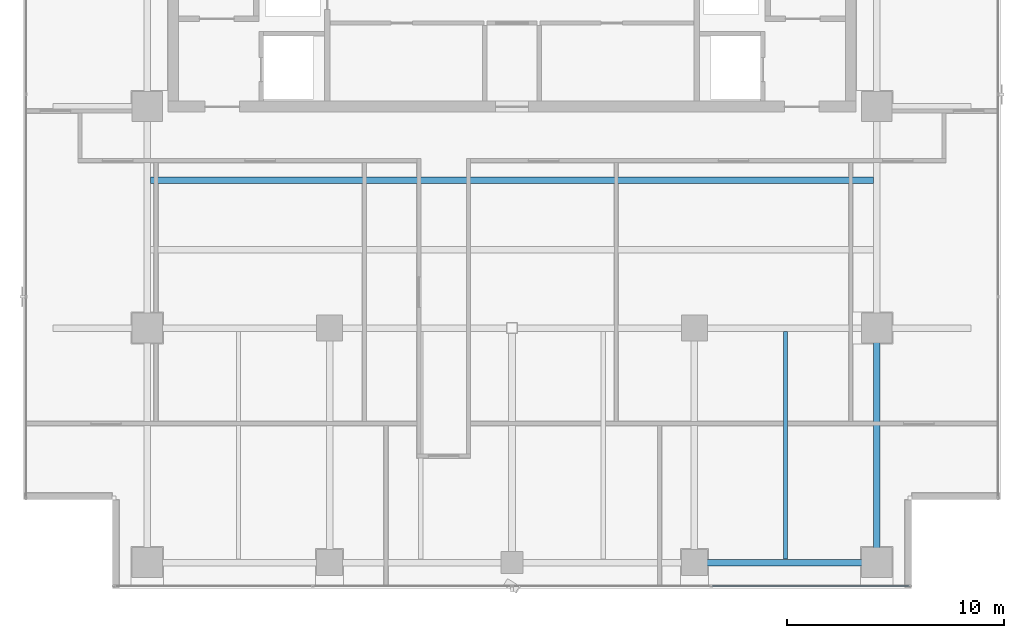
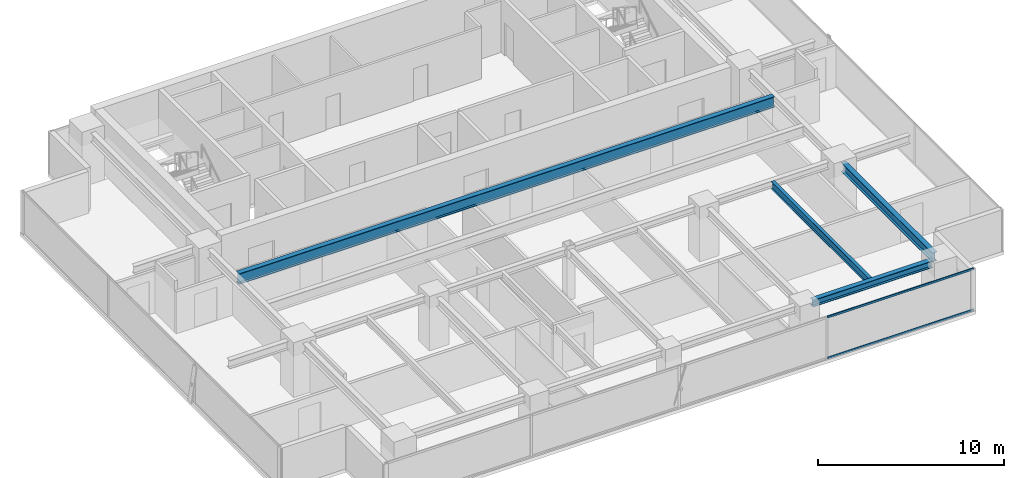
# One storey, part 10 of 25: 4 beams, 2 members, 1 element without a shape of its own.
"""IFC4 building model written with IfcOpenShell, lengths in metres."""

from ifc_helpers import new_model, si_unit, direction, frame, origin, origin_2d, place, context, subcontext, project, spatial, hollow_rectangle, i_section, extrude, source, transform, mapped, material, layer, layer_set, material_profile, profile_set, type_object, element, aggregate, save


model = new_model("IFC4")

# Units and contexts
model_context = context("Model", 3, precision=1e-05, world=origin(), true_north=direction((0.0, 1.0)))
body_context = subcontext(model_context, "Body", "Model", "MODEL_VIEW")
ifc_project = project(units=[si_unit("LENGTHUNIT", "METRE"), si_unit("AREAUNIT", "SQUARE_METRE"), si_unit("VOLUMEUNIT", "CUBIC_METRE"), si_unit("PLANEANGLEUNIT", "RADIAN"), si_unit("MASSUNIT", "GRAM", prefix="KILO")], contexts=[model_context])

# Site, building, storey
site_placement = place(None, origin())
site = spatial("IfcSite", under=ifc_project, at=site_placement, CompositionType="ELEMENT")
building_placement = place(site_placement, origin())
building = spatial("IfcBuilding", under=site, at=building_placement, Name="Sumidabori Civic Tower", CompositionType="ELEMENT")
storey_placement = place(building_placement, frame((0.0, 0.0, 268.39990234375)))
storey = spatial("IfcBuildingStorey", under=building, at=storey_placement, Name="L70", CompositionType="ELEMENT", Elevation=268.39990234375)

# Beams
ifc_material_1 = material(Name="Steel SN490", Category="steel")
ifc_material_profile_1 = material_profile(ifc_material_1, i_section(OverallWidth=0.300048828125, OverallDepth=0.60009765625, WebThickness=0.015380859375, FlangeThickness=0.030029296875, at=origin_2d()), Name="HE 600 B")
ifc_profile_set_1 = profile_set([ifc_material_profile_1], Name="Steel SN490")
beam_type_1 = type_object("IfcBeamType", Name="BM-GIRD-600", PredefinedType="BEAM", material=ifc_profile_set_1)
shared_shape_1 = source(origin(), body_context, "Body", "SweptSolid", [
    extrude(i_section(OverallWidth=0.300048828125, OverallDepth=0.60009765625, WebThickness=0.015380859375, FlangeThickness=0.030029296875, at=origin_2d()), origin(), (0.0, 0.0, 1.0), 9.840087890625),
])
beam_1_placement = place(storey_placement, frame((16.800048828125, -10.320068359375, 3.070068359375), z_axis=(0.0, 1.0, 0.0), x_axis=(-1.0, 0.0, 0.0)))
element("IfcBeam", 1, at=beam_1_placement, inside=storey, type_object=beam_type_1, Name="Primary Girder L70 GY-15", PredefinedType="BEAM", context=body_context, shape_type="MappedRepresentation", body=[
    mapped(shared_shape_1, transform((0.0, 0.0, 0.0), x_axis=(1.0, 0.0, 0.0), y_axis=(0.0, 1.0, 0.0), z_axis=(0.0, 0.0, 1.0), scale=1.0)),
])
ifc_material_profile_2 = material_profile(ifc_material_1, i_section(OverallWidth=0.300048828125, OverallDepth=0.699951171875, WebThickness=0.01708984375, FlangeThickness=0.031982421875, at=origin_2d()), Name="HE 700 B")
ifc_profile_set_2 = profile_set([ifc_material_profile_2], Name="Steel SN490")
beam_type_2 = type_object("IfcBeamType", Name="BM-GIRD-700", PredefinedType="BEAM", material=ifc_profile_set_2)
shared_shape_2 = source(origin(), body_context, "Body", "SweptSolid", [
    extrude(i_section(OverallWidth=0.300048828125, OverallDepth=0.699951171875, WebThickness=0.01708984375, FlangeThickness=0.031982421875, at=origin_2d()), origin(), (0.0, 0.0, 1.0), 33.2998046875),
])
beam_2_placement = place(storey_placement, frame((-16.64990234375, 6.800048828125, 3.02001953125), z_axis=(1.0, 0.0, 0.0), x_axis=(0.0, 1.0, 0.0)))
element("IfcBeam", 2, at=beam_2_placement, inside=storey, type_object=beam_type_2, Name="North Bay Floor Beam L70 JSTN-23", PredefinedType="BEAM", context=body_context, shape_type="MappedRepresentation", body=[
    mapped(shared_shape_2, transform((0.0, 0.0, 0.0), x_axis=(1.0, 0.0, 0.0), y_axis=(0.0, 1.0, 0.0), z_axis=(0.0, 0.0, 1.0), scale=1.0)),
])
ifc_material_profile_3 = material_profile(ifc_material_1, i_section(OverallWidth=0.300048828125, OverallDepth=0.449951171875, WebThickness=0.013916015625, FlangeThickness=0.02587890625, at=origin_2d()), Name="HE 450 B")
ifc_profile_set_3 = profile_set([ifc_material_profile_3], Name="Steel SN490")
beam_type_3 = type_object("IfcBeamType", Name="BM-GIRD-450", PredefinedType="BEAM", material=ifc_profile_set_3)
shared_shape_3 = source(origin(), body_context, "Body", "SweptSolid", [
    extrude(i_section(OverallWidth=0.300048828125, OverallDepth=0.449951171875, WebThickness=0.013916015625, FlangeThickness=0.02587890625, at=origin_2d()), origin(), (0.0, 0.0, 1.0), 7.440185546875),
])
beam_3_placement = place(storey_placement, frame((8.8798828125, -10.800048828125, 3.14501953125), z_axis=(1.0, 0.0, 0.0), x_axis=(0.0, 1.0, 0.0)))
element("IfcBeam", 3, at=beam_3_placement, inside=storey, type_object=beam_type_3, Name="Primary Girder L70 GX-04", PredefinedType="BEAM", context=body_context, shape_type="MappedRepresentation", body=[
    mapped(shared_shape_3, transform((0.0, 0.0, 0.0), x_axis=(1.0, 0.0, 0.0), y_axis=(0.0, 1.0, 0.0), z_axis=(0.0, 0.0, 1.0), scale=1.0)),
])
ifc_material_profile_4 = material_profile(ifc_material_1, i_section(OverallWidth=0.199951171875, OverallDepth=0.5, WebThickness=0.01025390625, FlangeThickness=0.01611328125, at=origin_2d()), Name="IPE 500")
ifc_profile_set_4 = profile_set([ifc_material_profile_4], Name="Steel SN490")
beam_type_4 = type_object("IfcBeamType", Name="BM-JST-500", PredefinedType="JOIST", material=ifc_profile_set_4)
shared_shape_4 = source(origin(), body_context, "Body", "SweptSolid", [
    extrude(i_section(OverallWidth=0.199951171875, OverallDepth=0.5, WebThickness=0.01025390625, FlangeThickness=0.01611328125, at=origin_2d()), origin(), (0.0, 0.0, 1.0), 10.5),
])
beam_4_placement = place(storey_placement, frame((12.60009765625, -10.64990234375, 3.1201171875), z_axis=(0.0, 1.0, 0.0), x_axis=(-1.0, 0.0, 0.0)))
element("IfcBeam", 4, at=beam_4_placement, inside=storey, type_object=beam_type_4, Name="Upper Lens N-S Floor Joist L70 JSTV-27", PredefinedType="JOIST", context=body_context, shape_type="MappedRepresentation", body=[
    mapped(shared_shape_4, transform((0.0, 0.0, 0.0), x_axis=(1.0, 0.0, 0.0), y_axis=(0.0, 1.0, 0.0), z_axis=(0.0, 0.0, 1.0), scale=1.0)),
])

# Curtain wall, members
ifc_material_2 = material(Name="Anodised Bronze Aluminium AW-6063-T6", Category="aluminium")
ifc_layer = layer(ifc_material_2, 0.179931640625, Name="Anodised Bronze Aluminium AW-6063-T6")
ifc_layer_set = layer_set([ifc_layer], Name="Anodised Bronze Aluminium AW-6063-T6")
curtain_wall_type = type_object("IfcCurtainWallType", Name="CW-SYS-5", PredefinedType="NOTDEFINED", material=ifc_layer_set)
curtain_wall_placement = place(storey_placement, origin())
curtain_wall = element("IfcCurtainWall", 5, at=curtain_wall_placement, inside=storey, type_object=curtain_wall_type, Name="Curtain Wall CW:L70:R01", PredefinedType="NOTDEFINED")
ifc_material_profile_5 = material_profile(ifc_material_2, hollow_rectangle(XDim=0.06005859375, YDim=0.1298828125, WallThickness=0.0048828125, at=origin_2d()), Name="ALU TRANSOM 130x60")
ifc_profile_set_5 = profile_set([ifc_material_profile_5], Name="Anodised Bronze Aluminium AW-6063-T6")
member_type = type_object("IfcMemberType", Name="CW-TRN-130", PredefinedType="USERDEFINED", material=ifc_profile_set_5)
shared_shape_5 = source(origin(), body_context, "Body", "SweptSolid", [
    extrude(hollow_rectangle(XDim=0.06005859375, YDim=0.1298828125, WallThickness=0.0048828125, at=origin_2d()), origin(), (0.0, 0.0, 1.0), 9.094970703125),
])
member_1_placement = place(storey_placement, frame((9.215087890625, -11.8798828125, 0.030029296875), z_axis=(1.0, 0.0, 0.0), x_axis=(0.0, 1.0, 0.0)))
member_1 = element("IfcMember", 6, at=member_1_placement, type_object=member_type, Name="CW-5 transom 4.1", ObjectType="TRANSOM", PredefinedType="USERDEFINED", context=body_context, shape_type="MappedRepresentation", body=[
    mapped(shared_shape_5, transform((0.0, 0.0, 0.0), x_axis=(1.0, 0.0, 0.0), y_axis=(0.0, 1.0, 0.0), z_axis=(0.0, 0.0, 1.0), scale=1.0)),
])
member_2_placement = place(storey_placement, frame((9.215087890625, -11.8798828125, 2.72021484375), z_axis=(1.0, 0.0, 0.0), x_axis=(0.0, 1.0, 0.0)))
member_2 = element("IfcMember", 7, at=member_2_placement, type_object=member_type, Name="CW-5 transom 4.2", ObjectType="TRANSOM", PredefinedType="USERDEFINED", context=body_context, shape_type="MappedRepresentation", body=[
    mapped(shared_shape_5, transform((0.0, 0.0, 0.0), x_axis=(1.0, 0.0, 0.0), y_axis=(0.0, 1.0, 0.0), z_axis=(0.0, 0.0, 1.0), scale=1.0)),
])
aggregate(curtain_wall, [member_1, member_2])

save(model, "model.ifc")
